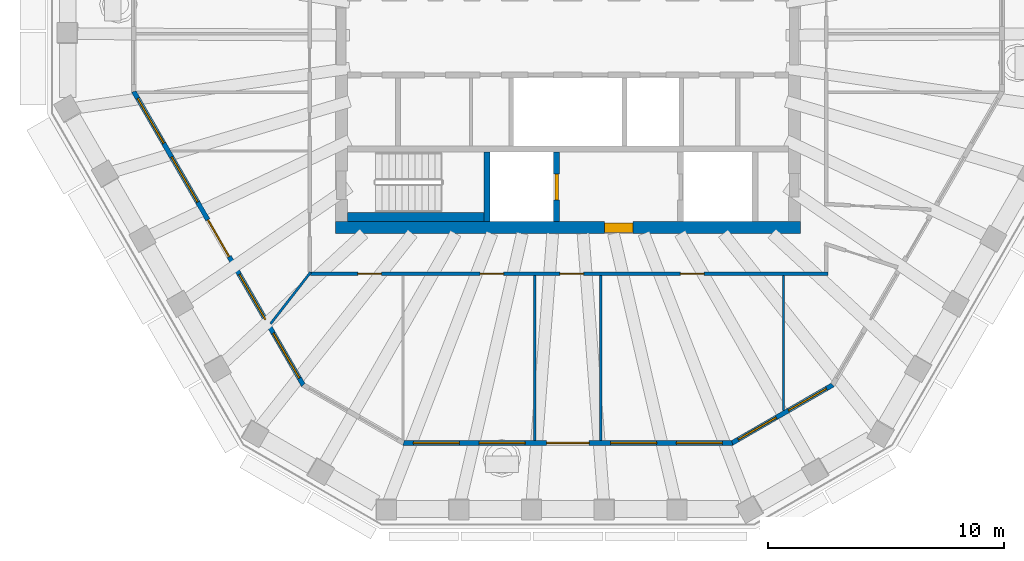
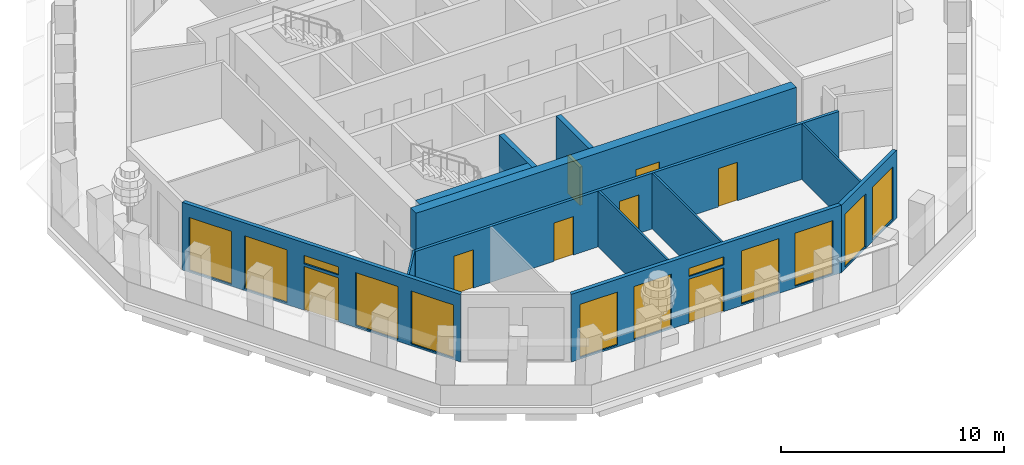
# One storey, part 3 of 11: 12 walls, 12 windows, 8 doors, 20 openings.
"""IFC4 building model written with IfcOpenShell, lengths in metres."""

from ifc_helpers import new_model, si_unit, direction, frame, frame_2d, origin, place, context, subcontext, project, spatial, polyline, rectangle, outline, extrude, material, layer, layer_set, type_object, element, fill, save


model = new_model("IFC4")

# Units and contexts
model_context = context("Model", 3, precision=1e-05, world=origin(), true_north=direction((0.0, 1.0)))
body_context = subcontext(model_context, "Body", "Model", "MODEL_VIEW")
ifc_project = project(units=[si_unit("LENGTHUNIT", "METRE"), si_unit("AREAUNIT", "SQUARE_METRE"), si_unit("VOLUMEUNIT", "CUBIC_METRE"), si_unit("PLANEANGLEUNIT", "RADIAN"), si_unit("MASSUNIT", "GRAM", prefix="KILO")], contexts=[model_context])

# Site, building, storey
site_placement = place(None, origin())
site = spatial("IfcSite", under=ifc_project, at=site_placement, CompositionType="ELEMENT")
building_placement = place(site_placement, origin())
building = spatial("IfcBuilding", under=site, at=building_placement, Name="Frailejon Research Tower", CompositionType="ELEMENT")
storey_placement = place(building_placement, frame((0.0, 0.0, 312.60009765625)))
storey = spatial("IfcBuildingStorey", under=building, at=storey_placement, Name="L69", CompositionType="ELEMENT", Elevation=312.60009765625)

# Wall, opening, door
ifc_material_1 = material(Name="Concrete C50/60", Category="concrete")
ifc_layer_1 = layer(ifc_material_1, 0.5)
ifc_layer_set_1 = layer_set([ifc_layer_1], Name="Core shear wall 500 C50/60")
wall_type_1 = type_object("IfcWallType", Name="Core shear wall 500 C50/60", PredefinedType="SHEAR", material=ifc_layer_set_1)
wall_1_placement = place(storey_placement, frame((-9.85009765625, -8.10009765625, 0.0), z_axis=(0.0, 0.0, 1.0), x_axis=(1.0, 0.0, 0.0)))
wall_1 = element("IfcWall", 1, at=wall_1_placement, inside=storey, type_object=wall_type_1, Name="Core shear wall", PredefinedType="SHEAR", context=body_context, shape_type="SweptSolid", body=[
    extrude(rectangle(XDim=19.7001953125, YDim=0.5, at=frame_2d((9.85009765625, 0.0))), origin(), (0.0, 0.0, 1.0), 3.699951171875),
])
opening_1_placement = place(wall_1_placement, frame((11.39990234375, 0.0, 0.0)))
opening_1 = element("IfcOpeningElement", 2, at=opening_1_placement, cuts=wall_1, Name="Opening D3", PredefinedType="OPENING", context=body_context, shape_type="SweptSolid", body=[
    extrude(rectangle(XDim=1.199951171875, YDim=2.10009765625, at=frame_2d((0.60009765625, 1.050048828125))), frame((0.0, 0.260009765625, 0.0), z_axis=(0.0, -1.0, 0.0), x_axis=(1.0, 0.0, 0.0)), (0.0, 0.0, 1.0), 0.52001953125),
])
ifc_material_2 = material(Name="Steel", Category="steel")
door_type_1 = type_object("IfcDoorType", Name="Firefighting lobby door", OperationType="SINGLE_SWING_LEFT", PredefinedType="DOOR", material=ifc_material_2)
door_1_placement = place(opening_1_placement, origin())
door_1 = element("IfcDoor", 3, at=door_1_placement, inside=storey, type_object=door_type_1, Name="Firefighting lobby door", OperationType="SINGLE_SWING_LEFT", OverallHeight=2.10009765625, OverallWidth=1.199951171875, PredefinedType="DOOR", context=body_context, shape_type="SweptSolid", body=[
    extrude(rectangle(XDim=1.199951171875, YDim=2.10009765625, at=frame_2d((0.60009765625, 1.050048828125))), frame((0.0, 0.199951171875, 0.0), z_axis=(0.0, -1.0, 0.0), x_axis=(1.0, 0.0, 0.0)), (0.0, 0.0, 1.0), 0.39990234375),
])
fill(opening_1, door_1)

# Wall, openings, doors
ifc_material_3 = material(Name="Gypsum board and masonry partition", Category="masonry")
ifc_layer_2 = layer(ifc_material_3, 0.14990234375)
ifc_layer_set_2 = layer_set([ifc_layer_2], Name="Corridor wall EI 60, gypsum on steel studs 150")
wall_type_2 = type_object("IfcWallType", Name="Corridor wall EI 60, gypsum on steel studs 150", PredefinedType="PARTITIONING", material=ifc_layer_set_2)
wall_2_placement = place(storey_placement, frame((-10.89990234375, -10.050048828125, 0.0), z_axis=(0.0, 0.0, 1.0), x_axis=(1.0, 0.0, 0.0)))
wall_2 = element("IfcWall", 4, at=wall_2_placement, inside=storey, type_object=wall_type_2, Name="T:IW:L69:006", PredefinedType="PARTITIONING", context=body_context, shape_type="SweptSolid", body=[
    extrude(rectangle(XDim=21.9248046875, YDim=0.14990234375, at=frame_2d((10.96240234375, 0.0))), origin(), (0.0, 0.0, 1.0), 3.0498046875),
])
opening_2_placement = place(wall_2_placement, frame((1.994140625, 0.0, 0.0)))
opening_2 = element("IfcOpeningElement", 5, at=opening_2_placement, cuts=wall_2, Name="Opening D2308", PredefinedType="OPENING", context=body_context, shape_type="SweptSolid", body=[
    extrude(rectangle(XDim=1.0, YDim=2.10009765625, at=frame_2d((0.5, 1.050048828125))), frame((0.0, 0.0849609375, 0.0), z_axis=(0.0, -1.0, 0.0), x_axis=(1.0, 0.0, 0.0)), (0.0, 0.0, 1.0), 0.169921875),
])
opening_3_placement = place(wall_2_placement, frame((7.178466796875, 0.0, 0.0)))
opening_3 = element("IfcOpeningElement", 6, at=opening_3_placement, cuts=wall_2, Name="Opening D2309", PredefinedType="OPENING", context=body_context, shape_type="SweptSolid", body=[
    extrude(rectangle(XDim=1.0, YDim=2.10009765625, at=frame_2d((0.5, 1.050048828125))), frame((0.0, 0.0849609375, 0.0), z_axis=(0.0, -1.0, 0.0), x_axis=(1.0, 0.0, 0.0)), (0.0, 0.0, 1.0), 0.169921875),
])
opening_4_placement = place(wall_2_placement, frame((10.564453125, 0.0, 0.0)))
opening_4 = element("IfcOpeningElement", 7, at=opening_4_placement, cuts=wall_2, Name="Opening D2310", PredefinedType="OPENING", context=body_context, shape_type="SweptSolid", body=[
    extrude(rectangle(XDim=1.0, YDim=2.10009765625, at=frame_2d((0.5, 1.050048828125))), frame((0.0, 0.0849609375, 0.0), z_axis=(0.0, -1.0, 0.0), x_axis=(1.0, 0.0, 0.0)), (0.0, 0.0, 1.0), 0.169921875),
])
opening_5_placement = place(wall_2_placement, frame((15.669677734375, 0.0, 0.0)))
opening_5 = element("IfcOpeningElement", 8, at=opening_5_placement, cuts=wall_2, Name="Opening D2311", PredefinedType="OPENING", context=body_context, shape_type="SweptSolid", body=[
    extrude(rectangle(XDim=1.0, YDim=2.10009765625, at=frame_2d((0.5, 1.050048828125))), frame((0.0, 0.0849609375, 0.0), z_axis=(0.0, -1.0, 0.0), x_axis=(1.0, 0.0, 0.0)), (0.0, 0.0, 1.0), 0.169921875),
])
ifc_material_4 = material(Name="Timber door leaf", Category="wood")
door_type_2 = type_object("IfcDoorType", Name="Door single leaf, timber, steel frame 1000", OperationType="NOTDEFINED", PredefinedType="DOOR", material=ifc_material_4)
door_2_placement = place(opening_2_placement, origin())
door_2 = element("IfcDoor", 9, at=door_2_placement, inside=storey, type_object=door_type_2, Name="D2308", OperationType="SINGLE_SWING_LEFT", OverallHeight=2.10009765625, OverallWidth=1.0, PredefinedType="DOOR", context=body_context, shape_type="SweptSolid", body=[
    extrude(rectangle(XDim=1.0, YDim=2.10009765625, at=frame_2d((0.5, 1.050048828125))), frame((0.0, 0.02490234375, 0.0), z_axis=(0.0, -1.0, 0.0), x_axis=(1.0, 0.0, 0.0)), (0.0, 0.0, 1.0), 0.050048828125),
])
fill(opening_2, door_2)
door_3_placement = place(opening_3_placement, origin())
door_3 = element("IfcDoor", 10, at=door_3_placement, inside=storey, type_object=door_type_2, Name="D2309", OperationType="SINGLE_SWING_RIGHT", OverallHeight=2.10009765625, OverallWidth=1.0, PredefinedType="DOOR", context=body_context, shape_type="SweptSolid", body=[
    extrude(rectangle(XDim=1.0, YDim=2.10009765625, at=frame_2d((0.5, 1.050048828125))), frame((0.0, 0.02490234375, 0.0), z_axis=(0.0, -1.0, 0.0), x_axis=(1.0, 0.0, 0.0)), (0.0, 0.0, 1.0), 0.050048828125),
])
fill(opening_3, door_3)
door_4_placement = place(opening_4_placement, origin())
door_4 = element("IfcDoor", 11, at=door_4_placement, inside=storey, type_object=door_type_2, Name="D2310", OperationType="SINGLE_SWING_RIGHT", OverallHeight=2.10009765625, OverallWidth=1.0, PredefinedType="DOOR", context=body_context, shape_type="SweptSolid", body=[
    extrude(rectangle(XDim=1.0, YDim=2.10009765625, at=frame_2d((0.5, 1.050048828125))), frame((0.0, 0.02490234375, 0.0), z_axis=(0.0, -1.0, 0.0), x_axis=(1.0, 0.0, 0.0)), (0.0, 0.0, 1.0), 0.050048828125),
])
fill(opening_4, door_4)
door_5_placement = place(opening_5_placement, origin())
door_5 = element("IfcDoor", 12, at=door_5_placement, inside=storey, type_object=door_type_2, Name="D2311", OperationType="SINGLE_SWING_RIGHT", OverallHeight=2.10009765625, OverallWidth=1.0, PredefinedType="DOOR", context=body_context, shape_type="SweptSolid", body=[
    extrude(rectangle(XDim=1.0, YDim=2.10009765625, at=frame_2d((0.5, 1.050048828125))), frame((0.0, 0.02490234375, 0.0), z_axis=(0.0, -1.0, 0.0), x_axis=(1.0, 0.0, 0.0)), (0.0, 0.0, 1.0), 0.050048828125),
])
fill(opening_5, door_5)

# Walls
ifc_material_5 = material(Name="Gypsum board and masonry partition", Category="masonry")
ifc_layer_3 = layer(ifc_material_5, 0.10009765625)
ifc_layer_set_3 = layer_set([ifc_layer_3], Name="Partition, gypsum on steel studs 100")
wall_type_3 = type_object("IfcWallType", Name="Partition, gypsum on steel studs 100", PredefinedType="PARTITIONING", material=ifc_layer_set_3)
wall_3_placement = place(storey_placement, frame((-12.6005859375, -12.17529296875, 0.0), z_axis=(0.0, 0.0, 1.0), x_axis=(0.61335992927, 0.789803518076, 0.0)))
element("IfcWall", 13, at=wall_3_placement, inside=storey, type_object=wall_type_3, Name="T:IW:L69:021", PredefinedType="PARTITIONING", context=body_context, shape_type="SweptSolid", body=[
    extrude(rectangle(XDim=2.765869140625, YDim=0.10009765625, at=frame_2d((1.3828125, 0.0))), origin(), (0.0, 0.0, 1.0), 3.0498046875),
])
for number, where, z_axis, x_axis, name in (
    (14, (-1.398193359375, -17.125732421875, 0.0), (0.0, 0.0, 1.0), (0.0, 1.0, 0.0), "T:IW:L69:023"),
    (15, (1.398193359375, -17.125732421875, 0.0), (0.0, 0.0, 1.0), (0.0, 1.0, 0.0), "T:IW:L69:024"),
):
    element("IfcWall", number, at=place(storey_placement, frame(where, z_axis=z_axis, x_axis=x_axis)), inside=storey, type_object=wall_type_3, Name=name, PredefinedType="PARTITIONING", context=body_context, shape_type="SweptSolid", body=[
        extrude(rectangle(XDim=7.000732421875, YDim=0.10009765625, at=frame_2d((3.50048828125, 0.0))), origin(), (0.0, 0.0, 1.0), 3.0498046875),
    ])
wall_4_placement = place(storey_placement, frame((9.14111328125, -15.853515625, 0.0), z_axis=(0.0, 0.0, 1.0), x_axis=(0.0, 1.0, 0.0)))
element("IfcWall", 16, at=wall_4_placement, inside=storey, type_object=wall_type_3, Name="T:IW:L69:025", PredefinedType="PARTITIONING", context=body_context, shape_type="SweptSolid", body=[
    extrude(rectangle(XDim=5.728515625, YDim=0.10009765625, at=frame_2d((2.8642578125, 0.0))), origin(), (0.0, 0.0, 1.0), 3.0498046875),
])
ifc_material_6 = material(Name="Concrete C50/60", Category="concrete")
ifc_layer_4 = layer(ifc_material_6, 0.25)
ifc_layer_set_4 = layer_set([ifc_layer_4], Name="Shaft wall 250 C50/60")
wall_type_4 = type_object("IfcWallType", Name="Shaft wall 250 C50/60", PredefinedType="SOLIDWALL", material=ifc_layer_set_4)
wall_5_placement = place(storey_placement, frame((-3.425048828125, -7.85009765625, 0.0), z_axis=(0.0, 0.0, 1.0), x_axis=(0.0, 1.0, 0.0)))
element("IfcWall", 17, at=wall_5_placement, inside=storey, type_object=wall_type_4, Name="Shaft wall", PredefinedType="SOLIDWALL", context=body_context, shape_type="SweptSolid", body=[
    extrude(rectangle(XDim=2.9501953125, YDim=0.25, at=frame_2d((1.47509765625, 0.0))), origin(), (0.0, 0.0, 1.0), 3.699951171875),
])

# Wall, opening, door
wall_6_placement = place(storey_placement, frame((-0.47509765625, -7.85009765625, 0.0), z_axis=(0.0, 0.0, 1.0), x_axis=(0.0, 1.0, 0.0)))
wall_6 = element("IfcWall", 18, at=wall_6_placement, inside=storey, type_object=wall_type_4, Name="Shaft wall", PredefinedType="SOLIDWALL", context=body_context, shape_type="SweptSolid", body=[
    extrude(rectangle(XDim=2.9501953125, YDim=0.25, at=frame_2d((1.47509765625, 0.0))), origin(), (0.0, 0.0, 1.0), 3.699951171875),
])
opening_6_placement = place(wall_6_placement, frame((0.925048828125, 0.0, 0.0)))
opening_6 = element("IfcOpeningElement", 19, at=opening_6_placement, cuts=wall_6, Name="Opening LD", PredefinedType="OPENING", context=body_context, shape_type="SweptSolid", body=[
    extrude(rectangle(XDim=1.10009765625, YDim=2.10009765625, at=frame_2d((0.550048828125, 1.050048828125))), frame((0.0, 0.135009765625, 0.0), z_axis=(0.0, -1.0, 0.0), x_axis=(1.0, 0.0, 0.0)), (0.0, 0.0, 1.0), 0.27001953125),
])
ifc_material_7 = material(Name="Steel", Category="steel")
door_type_3 = type_object("IfcDoorType", Name="Lift landing door", OperationType="DOUBLE_DOOR_SLIDING", PredefinedType="DOOR", material=ifc_material_7)
door_6_placement = place(opening_6_placement, origin())
door_6 = element("IfcDoor", 20, at=door_6_placement, inside=storey, type_object=door_type_3, Name="Lift landing door", OperationType="DOUBLE_DOOR_SLIDING", OverallHeight=2.10009765625, OverallWidth=1.10009765625, PredefinedType="DOOR", context=body_context, shape_type="SweptSolid", body=[
    extrude(rectangle(XDim=1.10009765625, YDim=2.10009765625, at=frame_2d((0.550048828125, 1.050048828125))), frame((0.0, 0.074951171875, 0.0), z_axis=(0.0, -1.0, 0.0), x_axis=(1.0, 0.0, 0.0)), (0.0, 0.0, 1.0), 0.14990234375),
])
fill(opening_6, door_6)

# Wall
ifc_material_8 = material(Name="Concrete C50/60", Category="concrete")
ifc_layer_5 = layer(ifc_material_8, 0.39990234375)
ifc_layer_set_5 = layer_set([ifc_layer_5], Name="Shaft wall 400 C50/60")
wall_type_5 = type_object("IfcWallType", Name="Shaft wall 400 C50/60", PredefinedType="SOLIDWALL", material=ifc_layer_set_5)
wall_7_placement = place(storey_placement, frame((-9.35009765625, -7.64990234375, 0.0), z_axis=(0.0, 0.0, 1.0), x_axis=(1.0, 0.0, 0.0)))
element("IfcWall", 21, at=wall_7_placement, inside=storey, type_object=wall_type_5, Name="Shaft wall", PredefinedType="SOLIDWALL", context=body_context, shape_type="SweptSolid", body=[
    extrude(rectangle(XDim=5.800048828125, YDim=0.39990234375, at=frame_2d((2.89990234375, 0.0))), origin(), (0.0, 0.0, 1.0), 3.699951171875),
])

# Wall, openings, door, windows
ifc_material_9 = material(Name="Concrete C40/50 precast window wall panel", Category="concrete")
ifc_layer_6 = layer(ifc_material_9, 0.199951171875)
ifc_layer_set_6 = layer_set([ifc_layer_6], Name="Window wall 200")
wall_type_6 = type_object("IfcWallType", Name="Window wall 200", PredefinedType="SOLIDWALL", material=ifc_layer_set_6)
wall_8_placement = place(storey_placement, frame((-18.400146484375, -2.330078125, 0.0), z_axis=(0.0, 0.0, 1.0), x_axis=(0.499996104244, -0.866027652989, 0.0)))
wall_8 = element("IfcWall", 22, at=wall_8_placement, inside=storey, type_object=wall_type_6, Name="Exterior wall L69", PredefinedType="SOLIDWALL", context=body_context, shape_type="SweptSolid", body=[
    extrude(outline(polyline([(-0.02685546875, -0.10009765625), (1.0029296875, -0.10009765625), (2.032958984375, -0.10009765625), (3.062744140625, -0.10009765625), (4.092529296875, -0.10009765625), (5.122314453125, -0.10009765625), (6.15234375, -0.10009765625), (7.18212890625, -0.10009765625), (8.2119140625, -0.10009765625), (9.241943359375, -0.10009765625), (10.271728515625, -0.10009765625), (11.301513671875, -0.10009765625), (12.331298828125, -0.10009765625), (13.361328125, -0.10009765625), (14.39111328125, -0.10009765625), (14.33740234375, 0.10009765625), (13.315185546875, 0.10009765625), (12.29296875, 0.10009765625), (11.270751953125, 0.10009765625), (10.248779296875, 0.10009765625), (9.2265625, 0.10009765625), (8.204345703125, 0.10009765625), (7.18212890625, 0.10009765625), (6.159912109375, 0.10009765625), (5.1376953125, 0.10009765625), (4.115478515625, 0.10009765625), (3.093505859375, 0.10009765625), (2.0712890625, 0.10009765625), (1.049072265625, 0.10009765625), (0.02685546875, 0.10009765625), (-0.02685546875, -0.10009765625)])), origin(), (0.0, 0.0, 1.0), 3.699951171875),
])
opening_7_placement = place(wall_8_placement, frame((0.33642578125, 0.0, 0.10009765625)))
opening_7 = element("IfcOpeningElement", 23, at=opening_7_placement, cuts=wall_8, Name="Opening W28", PredefinedType="OPENING", context=body_context, shape_type="SweptSolid", body=[
    extrude(rectangle(XDim=2.199951171875, YDim=2.89990234375, at=frame_2d((1.10009765625, 1.449951171875))), frame((0.0, 0.10986328125, 0.0), z_axis=(0.0, -1.0, 0.0), x_axis=(1.0, 0.0, 0.0)), (0.0, 0.0, 1.0), 0.219970703125),
])
opening_8_placement = place(wall_8_placement, frame((3.209228515625, 0.0, 0.10009765625)))
opening_8 = element("IfcOpeningElement", 24, at=opening_8_placement, cuts=wall_8, Name="Opening W28", PredefinedType="OPENING", context=body_context, shape_type="SweptSolid", body=[
    extrude(rectangle(XDim=2.199951171875, YDim=2.89990234375, at=frame_2d((1.10009765625, 1.449951171875))), frame((0.0, 0.10986328125, 0.0), z_axis=(0.0, -1.0, 0.0), x_axis=(1.0, 0.0, 0.0)), (0.0, 0.0, 1.0), 0.219970703125),
])
opening_9_placement = place(wall_8_placement, frame((6.281982421875, 0.0, 0.0)))
opening_9 = element("IfcOpeningElement", 25, at=opening_9_placement, cuts=wall_8, Name="Opening LG69-4", PredefinedType="OPENING", context=body_context, shape_type="SweptSolid", body=[
    extrude(rectangle(XDim=1.800048828125, YDim=2.39990234375, at=frame_2d((0.89990234375, 1.199951171875))), frame((0.0, 0.10986328125, 0.0), z_axis=(0.0, -1.0, 0.0), x_axis=(1.0, 0.0, 0.0)), (0.0, 0.0, 1.0), 0.219970703125),
])
opening_10_placement = place(wall_8_placement, frame((6.281982421875, 0.0, 2.550048828125)))
opening_10 = element("IfcOpeningElement", 26, at=opening_10_placement, cuts=wall_8, Name="Opening W1", PredefinedType="OPENING", context=body_context, shape_type="SweptSolid", body=[
    extrude(rectangle(XDim=1.800048828125, YDim=0.449951171875, at=frame_2d((0.89990234375, 0.22509765625))), frame((0.0, 0.10986328125, 0.0), z_axis=(0.0, -1.0, 0.0), x_axis=(1.0, 0.0, 0.0)), (0.0, 0.0, 1.0), 0.219970703125),
])
opening_11_placement = place(wall_8_placement, frame((8.955078125, 0.0, 0.10009765625)))
opening_11 = element("IfcOpeningElement", 27, at=opening_11_placement, cuts=wall_8, Name="Opening W28", PredefinedType="OPENING", context=body_context, shape_type="SweptSolid", body=[
    extrude(rectangle(XDim=2.199951171875, YDim=2.89990234375, at=frame_2d((1.10009765625, 1.449951171875))), frame((0.0, 0.10986328125, 0.0), z_axis=(0.0, -1.0, 0.0), x_axis=(1.0, 0.0, 0.0)), (0.0, 0.0, 1.0), 0.219970703125),
])
opening_12_placement = place(wall_8_placement, frame((11.827880859375, 0.0, 0.10009765625)))
opening_12 = element("IfcOpeningElement", 28, at=opening_12_placement, cuts=wall_8, Name="Opening W28", PredefinedType="OPENING", context=body_context, shape_type="SweptSolid", body=[
    extrude(rectangle(XDim=2.199951171875, YDim=2.89990234375, at=frame_2d((1.10009765625, 1.449951171875))), frame((0.0, 0.10986328125, 0.0), z_axis=(0.0, -1.0, 0.0), x_axis=(1.0, 0.0, 0.0)), (0.0, 0.0, 1.0), 0.219970703125),
])
ifc_material_10 = material(Name="Aluminium framed glazed door leaf", Category="aluminium")
door_type_4 = type_object("IfcDoorType", Name="Loggia door 1800x2400", OperationType="DOUBLE_DOOR_SINGLE_SWING", PredefinedType="DOOR", material=ifc_material_10)
door_7_placement = place(opening_9_placement, origin())
door_7 = element("IfcDoor", 29, at=door_7_placement, inside=storey, type_object=door_type_4, Name="Door LG69-4", OperationType="DOUBLE_DOOR_SINGLE_SWING", OverallHeight=2.39990234375, OverallWidth=1.800048828125, PredefinedType="DOOR", context=body_context, shape_type="SweptSolid", body=[
    extrude(rectangle(XDim=1.800048828125, YDim=2.39990234375, at=frame_2d((0.89990234375, 1.199951171875))), frame((0.0, 0.02490234375, 0.0), z_axis=(0.0, -1.0, 0.0), x_axis=(1.0, 0.0, 0.0)), (0.0, 0.0, 1.0), 0.050048828125),
])
fill(opening_9, door_7)
ifc_material_11 = material(Name="Aluminium framed double glazing", Category="aluminium")
window_type_1 = type_object("IfcWindowType", Name="Window 1800x450", PartitioningType="SINGLE_PANEL", PredefinedType="WINDOW", material=ifc_material_11)
window_1_placement = place(opening_10_placement, origin())
window_1 = element("IfcWindow", 30, at=window_1_placement, inside=storey, type_object=window_type_1, Name="Window L69", OverallHeight=0.449951171875, OverallWidth=1.800048828125, PartitioningType="SINGLE_PANEL", PredefinedType="WINDOW", context=body_context, shape_type="SweptSolid", body=[
    extrude(rectangle(XDim=1.800048828125, YDim=0.449951171875, at=frame_2d((0.89990234375, 0.22509765625))), frame((0.0, 0.030029296875, 0.0), z_axis=(0.0, -1.0, 0.0), x_axis=(1.0, 0.0, 0.0)), (0.0, 0.0, 1.0), 0.06005859375),
])
fill(opening_10, window_1)
ifc_material_12 = material(Name="Aluminium framed double glazing", Category="aluminium")
window_type_2 = type_object("IfcWindowType", Name="Window 2200x2900", PartitioningType="SINGLE_PANEL", PredefinedType="WINDOW", material=ifc_material_12)
window_2_placement = place(opening_7_placement, origin())
window_2 = element("IfcWindow", 31, at=window_2_placement, inside=storey, type_object=window_type_2, Name="Window L69", OverallHeight=2.89990234375, OverallWidth=2.199951171875, PartitioningType="SINGLE_PANEL", PredefinedType="WINDOW", context=body_context, shape_type="SweptSolid", body=[
    extrude(rectangle(XDim=2.199951171875, YDim=2.89990234375, at=frame_2d((1.10009765625, 1.449951171875))), frame((0.0, 0.030029296875, 0.0), z_axis=(0.0, -1.0, 0.0), x_axis=(1.0, 0.0, 0.0)), (0.0, 0.0, 1.0), 0.06005859375),
])
fill(opening_7, window_2)
window_3_placement = place(opening_8_placement, origin())
window_3 = element("IfcWindow", 32, at=window_3_placement, inside=storey, type_object=window_type_2, Name="Window L69", OverallHeight=2.89990234375, OverallWidth=2.199951171875, PartitioningType="SINGLE_PANEL", PredefinedType="WINDOW", context=body_context, shape_type="SweptSolid", body=[
    extrude(rectangle(XDim=2.199951171875, YDim=2.89990234375, at=frame_2d((1.10009765625, 1.449951171875))), frame((0.0, 0.030029296875, 0.0), z_axis=(0.0, -1.0, 0.0), x_axis=(1.0, 0.0, 0.0)), (0.0, 0.0, 1.0), 0.06005859375),
])
fill(opening_8, window_3)
window_4_placement = place(opening_11_placement, origin())
window_4 = element("IfcWindow", 33, at=window_4_placement, inside=storey, type_object=window_type_2, Name="Window L69", OverallHeight=2.89990234375, OverallWidth=2.199951171875, PartitioningType="SINGLE_PANEL", PredefinedType="WINDOW", context=body_context, shape_type="SweptSolid", body=[
    extrude(rectangle(XDim=2.199951171875, YDim=2.89990234375, at=frame_2d((1.10009765625, 1.449951171875))), frame((0.0, 0.030029296875, 0.0), z_axis=(0.0, -1.0, 0.0), x_axis=(1.0, 0.0, 0.0)), (0.0, 0.0, 1.0), 0.06005859375),
])
fill(opening_11, window_4)
window_5_placement = place(opening_12_placement, origin())
window_5 = element("IfcWindow", 34, at=window_5_placement, inside=storey, type_object=window_type_2, Name="Window L69", OverallHeight=2.89990234375, OverallWidth=2.199951171875, PartitioningType="SINGLE_PANEL", PredefinedType="WINDOW", context=body_context, shape_type="SweptSolid", body=[
    extrude(rectangle(XDim=2.199951171875, YDim=2.89990234375, at=frame_2d((1.10009765625, 1.449951171875))), frame((0.0, 0.030029296875, 0.0), z_axis=(0.0, -1.0, 0.0), x_axis=(1.0, 0.0, 0.0)), (0.0, 0.0, 1.0), 0.06005859375),
])
fill(opening_12, window_5)

wall_9_placement = place(storey_placement, frame((-6.96435546875, -17.2255859375, 0.0), z_axis=(0.0, 0.0, 1.0), x_axis=(1.0, 0.0, 0.0)))
wall_9 = element("IfcWall", 35, at=wall_9_placement, inside=storey, type_object=wall_type_6, Name="Exterior wall L69", PredefinedType="SOLIDWALL", context=body_context, shape_type="SweptSolid", body=[
    extrude(outline(polyline([(-0.02685546875, -0.10009765625), (1.048828125, -0.10009765625), (2.124267578125, -0.10009765625), (3.199951171875, -0.10009765625), (4.275390625, -0.10009765625), (5.35107421875, -0.10009765625), (6.426513671875, -0.10009765625), (7.502197265625, -0.10009765625), (8.57763671875, -0.10009765625), (9.6533203125, -0.10009765625), (10.728759765625, -0.10009765625), (11.804443359375, -0.10009765625), (12.8798828125, -0.10009765625), (13.95556640625, -0.10009765625), (13.90185546875, 0.10009765625), (12.83447265625, 0.10009765625), (11.767333984375, 0.10009765625), (10.699951171875, 0.10009765625), (9.632568359375, 0.10009765625), (8.5654296875, 0.10009765625), (7.498046875, 0.10009765625), (6.4306640625, 0.10009765625), (5.36328125, 0.10009765625), (4.296142578125, 0.10009765625), (3.228759765625, 0.10009765625), (2.161376953125, 0.10009765625), (1.09423828125, 0.10009765625), (0.02685546875, 0.10009765625), (-0.02685546875, -0.10009765625)])), origin(), (0.0, 0.0, 1.0), 3.699951171875),
])
opening_13_placement = place(wall_9_placement, frame((0.41796875, 0.0, 0.10009765625)))
opening_13 = element("IfcOpeningElement", 36, at=opening_13_placement, cuts=wall_9, Name="Opening W27", PredefinedType="OPENING", context=body_context, shape_type="SweptSolid", body=[
    extrude(rectangle(XDim=1.949951171875, YDim=2.89990234375, at=frame_2d((0.97509765625, 1.449951171875))), frame((0.0, 0.10986328125, 0.0), z_axis=(0.0, -1.0, 0.0), x_axis=(1.0, 0.0, 0.0)), (0.0, 0.0, 1.0), 0.219970703125),
])
opening_14_placement = place(wall_9_placement, frame((3.20361328125, 0.0, 0.10009765625)))
opening_14 = element("IfcOpeningElement", 37, at=opening_14_placement, cuts=wall_9, Name="Opening W27", PredefinedType="OPENING", context=body_context, shape_type="SweptSolid", body=[
    extrude(rectangle(XDim=1.949951171875, YDim=2.89990234375, at=frame_2d((0.97509765625, 1.449951171875))), frame((0.0, 0.10986328125, 0.0), z_axis=(0.0, -1.0, 0.0), x_axis=(1.0, 0.0, 0.0)), (0.0, 0.0, 1.0), 0.219970703125),
])
opening_15_placement = place(wall_9_placement, frame((6.064453125, 0.0, 0.0)))
opening_15 = element("IfcOpeningElement", 38, at=opening_15_placement, cuts=wall_9, Name="Opening LG69-5", PredefinedType="OPENING", context=body_context, shape_type="SweptSolid", body=[
    extrude(rectangle(XDim=1.800048828125, YDim=2.39990234375, at=frame_2d((0.89990234375, 1.199951171875))), frame((0.0, 0.10986328125, 0.0), z_axis=(0.0, -1.0, 0.0), x_axis=(1.0, 0.0, 0.0)), (0.0, 0.0, 1.0), 0.219970703125),
])
opening_16_placement = place(wall_9_placement, frame((6.064453125, 0.0, 2.550048828125)))
opening_16 = element("IfcOpeningElement", 39, at=opening_16_placement, cuts=wall_9, Name="Opening W1", PredefinedType="OPENING", context=body_context, shape_type="SweptSolid", body=[
    extrude(rectangle(XDim=1.800048828125, YDim=0.449951171875, at=frame_2d((0.89990234375, 0.22509765625))), frame((0.0, 0.10986328125, 0.0), z_axis=(0.0, -1.0, 0.0), x_axis=(1.0, 0.0, 0.0)), (0.0, 0.0, 1.0), 0.219970703125),
])
opening_17_placement = place(wall_9_placement, frame((8.775146484375, 0.0, 0.10009765625)))
opening_17 = element("IfcOpeningElement", 40, at=opening_17_placement, cuts=wall_9, Name="Opening W27", PredefinedType="OPENING", context=body_context, shape_type="SweptSolid", body=[
    extrude(rectangle(XDim=1.949951171875, YDim=2.89990234375, at=frame_2d((0.97509765625, 1.449951171875))), frame((0.0, 0.10986328125, 0.0), z_axis=(0.0, -1.0, 0.0), x_axis=(1.0, 0.0, 0.0)), (0.0, 0.0, 1.0), 0.219970703125),
])
opening_18_placement = place(wall_9_placement, frame((11.560791015625, 0.0, 0.10009765625)))
opening_18 = element("IfcOpeningElement", 41, at=opening_18_placement, cuts=wall_9, Name="Opening W27", PredefinedType="OPENING", context=body_context, shape_type="SweptSolid", body=[
    extrude(rectangle(XDim=1.949951171875, YDim=2.89990234375, at=frame_2d((0.97509765625, 1.449951171875))), frame((0.0, 0.10986328125, 0.0), z_axis=(0.0, -1.0, 0.0), x_axis=(1.0, 0.0, 0.0)), (0.0, 0.0, 1.0), 0.219970703125),
])
door_8_placement = place(opening_15_placement, origin())
door_8 = element("IfcDoor", 42, at=door_8_placement, inside=storey, type_object=door_type_4, Name="Door LG69-5", OperationType="DOUBLE_DOOR_SINGLE_SWING", OverallHeight=2.39990234375, OverallWidth=1.800048828125, PredefinedType="DOOR", context=body_context, shape_type="SweptSolid", body=[
    extrude(rectangle(XDim=1.800048828125, YDim=2.39990234375, at=frame_2d((0.89990234375, 1.199951171875))), frame((0.0, 0.02490234375, 0.0), z_axis=(0.0, -1.0, 0.0), x_axis=(1.0, 0.0, 0.0)), (0.0, 0.0, 1.0), 0.050048828125),
])
fill(opening_15, door_8)
window_6_placement = place(opening_16_placement, origin())
window_6 = element("IfcWindow", 43, at=window_6_placement, inside=storey, type_object=window_type_1, Name="Window L69", OverallHeight=0.449951171875, OverallWidth=1.800048828125, PartitioningType="SINGLE_PANEL", PredefinedType="WINDOW", context=body_context, shape_type="SweptSolid", body=[
    extrude(rectangle(XDim=1.800048828125, YDim=0.449951171875, at=frame_2d((0.89990234375, 0.22509765625))), frame((0.0, 0.030029296875, 0.0), z_axis=(0.0, -1.0, 0.0), x_axis=(1.0, 0.0, 0.0)), (0.0, 0.0, 1.0), 0.06005859375),
])
fill(opening_16, window_6)
ifc_material_13 = material(Name="Aluminium framed double glazing", Category="aluminium")
window_type_3 = type_object("IfcWindowType", Name="Window 1950x2900", PartitioningType="SINGLE_PANEL", PredefinedType="WINDOW", material=ifc_material_13)
window_7_placement = place(opening_13_placement, origin())
window_7 = element("IfcWindow", 44, at=window_7_placement, inside=storey, type_object=window_type_3, Name="Window L69", OverallHeight=2.89990234375, OverallWidth=1.949951171875, PartitioningType="SINGLE_PANEL", PredefinedType="WINDOW", context=body_context, shape_type="SweptSolid", body=[
    extrude(rectangle(XDim=1.949951171875, YDim=2.89990234375, at=frame_2d((0.97509765625, 1.449951171875))), frame((0.0, 0.030029296875, 0.0), z_axis=(0.0, -1.0, 0.0), x_axis=(1.0, 0.0, 0.0)), (0.0, 0.0, 1.0), 0.06005859375),
])
fill(opening_13, window_7)
window_8_placement = place(opening_14_placement, origin())
window_8 = element("IfcWindow", 45, at=window_8_placement, inside=storey, type_object=window_type_3, Name="Window L69", OverallHeight=2.89990234375, OverallWidth=1.949951171875, PartitioningType="SINGLE_PANEL", PredefinedType="WINDOW", context=body_context, shape_type="SweptSolid", body=[
    extrude(rectangle(XDim=1.949951171875, YDim=2.89990234375, at=frame_2d((0.97509765625, 1.449951171875))), frame((0.0, 0.030029296875, 0.0), z_axis=(0.0, -1.0, 0.0), x_axis=(1.0, 0.0, 0.0)), (0.0, 0.0, 1.0), 0.06005859375),
])
fill(opening_14, window_8)
window_9_placement = place(opening_17_placement, origin())
window_9 = element("IfcWindow", 46, at=window_9_placement, inside=storey, type_object=window_type_3, Name="Window L69", OverallHeight=2.89990234375, OverallWidth=1.949951171875, PartitioningType="SINGLE_PANEL", PredefinedType="WINDOW", context=body_context, shape_type="SweptSolid", body=[
    extrude(rectangle(XDim=1.949951171875, YDim=2.89990234375, at=frame_2d((0.97509765625, 1.449951171875))), frame((0.0, 0.030029296875, 0.0), z_axis=(0.0, -1.0, 0.0), x_axis=(1.0, 0.0, 0.0)), (0.0, 0.0, 1.0), 0.06005859375),
])
fill(opening_17, window_9)
window_10_placement = place(opening_18_placement, origin())
window_10 = element("IfcWindow", 47, at=window_10_placement, inside=storey, type_object=window_type_3, Name="Window L69", OverallHeight=2.89990234375, OverallWidth=1.949951171875, PartitioningType="SINGLE_PANEL", PredefinedType="WINDOW", context=body_context, shape_type="SweptSolid", body=[
    extrude(rectangle(XDim=1.949951171875, YDim=2.89990234375, at=frame_2d((0.97509765625, 1.449951171875))), frame((0.0, 0.030029296875, 0.0), z_axis=(0.0, -1.0, 0.0), x_axis=(1.0, 0.0, 0.0)), (0.0, 0.0, 1.0), 0.06005859375),
])
fill(opening_18, window_10)

# Wall, openings, windows
wall_10_placement = place(storey_placement, frame((6.96435546875, -17.2255859375, 0.0), z_axis=(0.0, 0.0, 1.0), x_axis=(0.866050666145, 0.499956241755, 0.0)))
wall_10 = element("IfcWall", 48, at=wall_10_placement, inside=storey, type_object=wall_type_6, Name="Exterior wall L69", PredefinedType="SOLIDWALL", context=body_context, shape_type="SweptSolid", body=[
    extrude(outline(polyline([(-0.02685546875, -0.10009765625), (1.21435546875, -0.10009765625), (2.455810546875, -0.10009765625), (3.697265625, -0.10009765625), (4.9384765625, -0.10009765625), (4.884765625, 0.10009765625), (3.67041015625, 0.10009765625), (2.455810546875, 0.10009765625), (1.2412109375, 0.10009765625), (0.02685546875, 0.10009765625), (-0.02685546875, -0.10009765625)])), origin(), (0.0, 0.0, 1.0), 3.699951171875),
])
opening_19_placement = place(wall_10_placement, frame((0.302978515625, 0.0, 0.10009765625)))
opening_19 = element("IfcOpeningElement", 49, at=opening_19_placement, cuts=wall_10, Name="Opening W26", PredefinedType="OPENING", context=body_context, shape_type="SweptSolid", body=[
    extrude(rectangle(XDim=1.85009765625, YDim=2.89990234375, at=frame_2d((0.925048828125, 1.449951171875))), frame((0.0, 0.10986328125, 0.0), z_axis=(0.0, -1.0, 0.0), x_axis=(1.0, 0.0, 0.0)), (0.0, 0.0, 1.0), 0.219970703125),
])
opening_20_placement = place(wall_10_placement, frame((2.7587890625, 0.0, 0.10009765625)))
opening_20 = element("IfcOpeningElement", 50, at=opening_20_placement, cuts=wall_10, Name="Opening W26", PredefinedType="OPENING", context=body_context, shape_type="SweptSolid", body=[
    extrude(rectangle(XDim=1.85009765625, YDim=2.89990234375, at=frame_2d((0.925048828125, 1.449951171875))), frame((0.0, 0.10986328125, 0.0), z_axis=(0.0, -1.0, 0.0), x_axis=(1.0, 0.0, 0.0)), (0.0, 0.0, 1.0), 0.219970703125),
])
ifc_material_14 = material(Name="Aluminium framed double glazing", Category="aluminium")
window_type_4 = type_object("IfcWindowType", Name="Window 1850x2900", PartitioningType="SINGLE_PANEL", PredefinedType="WINDOW", material=ifc_material_14)
window_11_placement = place(opening_19_placement, origin())
window_11 = element("IfcWindow", 51, at=window_11_placement, inside=storey, type_object=window_type_4, Name="Window L69", OverallHeight=2.89990234375, OverallWidth=1.85009765625, PartitioningType="SINGLE_PANEL", PredefinedType="WINDOW", context=body_context, shape_type="SweptSolid", body=[
    extrude(rectangle(XDim=1.85009765625, YDim=2.89990234375, at=frame_2d((0.925048828125, 1.449951171875))), frame((0.0, 0.030029296875, 0.0), z_axis=(0.0, -1.0, 0.0), x_axis=(1.0, 0.0, 0.0)), (0.0, 0.0, 1.0), 0.06005859375),
])
fill(opening_19, window_11)
window_12_placement = place(opening_20_placement, origin())
window_12 = element("IfcWindow", 52, at=window_12_placement, inside=storey, type_object=window_type_4, Name="Window L69", OverallHeight=2.89990234375, OverallWidth=1.85009765625, PartitioningType="SINGLE_PANEL", PredefinedType="WINDOW", context=body_context, shape_type="SweptSolid", body=[
    extrude(rectangle(XDim=1.85009765625, YDim=2.89990234375, at=frame_2d((0.925048828125, 1.449951171875))), frame((0.0, 0.030029296875, 0.0), z_axis=(0.0, -1.0, 0.0), x_axis=(1.0, 0.0, 0.0)), (0.0, 0.0, 1.0), 0.06005859375),
])
fill(opening_20, window_12)

save(model, "model.ifc")
